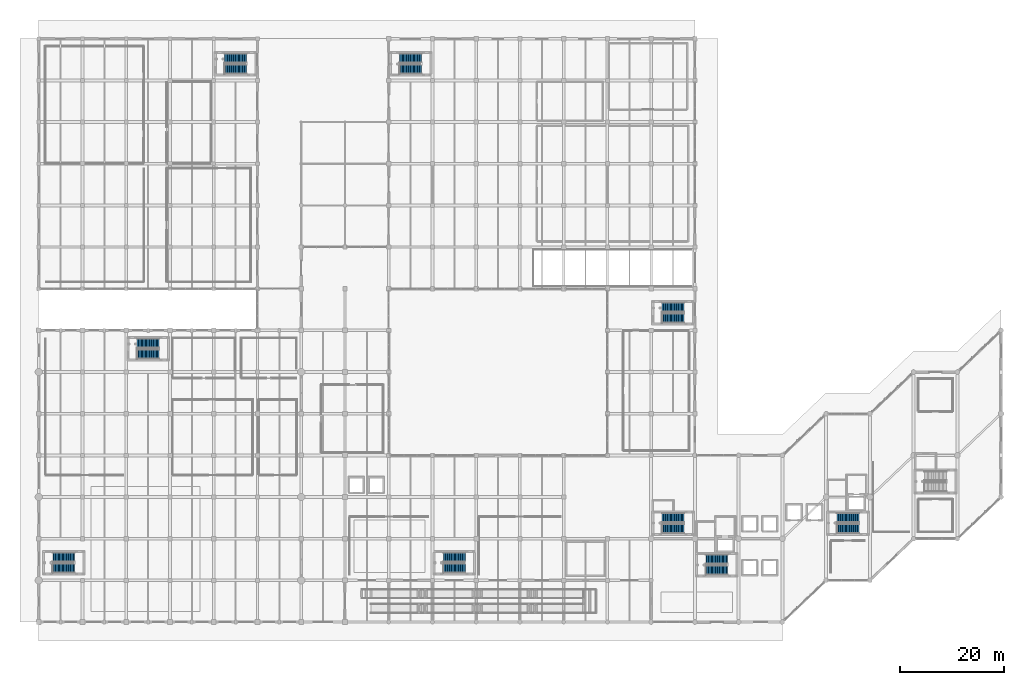
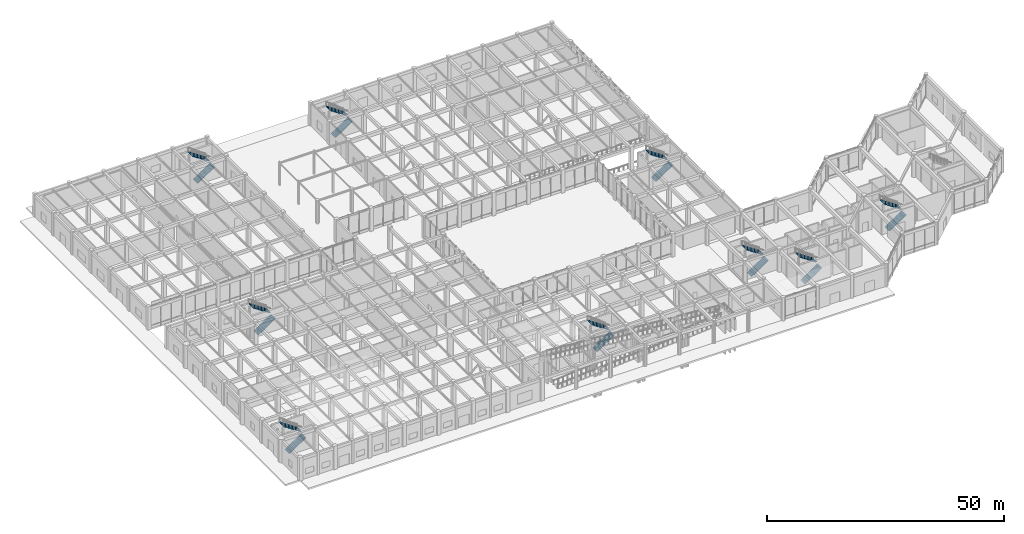
# One storey, part 61 of 76: 18 stair flights, 9 elements without a shape of their own.
"""IFC4 building model written with IfcOpenShell, lengths in metres."""

from ifc_helpers import new_model, si_unit, direction, frame, origin, place, context, subcontext, project, spatial, polyline, outline, extrude, material, type_object, element, aggregate, save


model = new_model("IFC4")

# Units and contexts
model_context = context("Model", 3, precision=1e-05, world=origin(), true_north=direction((0.0, 1.0)))
body_context = subcontext(model_context, "Body", "Model", "MODEL_VIEW")
ifc_project = project(units=[si_unit("LENGTHUNIT", "METRE"), si_unit("AREAUNIT", "SQUARE_METRE"), si_unit("VOLUMEUNIT", "CUBIC_METRE"), si_unit("PLANEANGLEUNIT", "RADIAN"), si_unit("MASSUNIT", "GRAM", prefix="KILO")], contexts=[model_context])

# Site, building, storey
site_placement = place(None, origin())
site = spatial("IfcSite", under=ifc_project, at=site_placement, CompositionType="ELEMENT")
building_placement = place(site_placement, origin())
building = spatial("IfcBuilding", under=site, at=building_placement, Name="Naruveol Harbour Congress Hotel", CompositionType="ELEMENT")
storey_placement = place(building_placement, origin())
storey = spatial("IfcBuildingStorey", under=building, at=storey_placement, Name="L00", CompositionType="ELEMENT", Elevation=0.0)

# Stair, stair flights
ifc_material_1 = material(Name="Concrete C40/50", Category="concrete")
stair_type = type_object("IfcStairType", Name="RC DOG LEG ESCAPE STAIR 1800W H6000", PredefinedType="HALF_TURN_STAIR", material=ifc_material_1)
stair_1_placement = place(storey_placement, origin())
stair_1 = element("IfcStair", 1, at=stair_1_placement, inside=storey, type_object=stair_type, Name="Special Escape Stair ST1 L00 to L01", PredefinedType="HALF_TURN_STAIR")
ifc_material_2 = material(Name="Concrete C40/50", Category="concrete")
stair_flight_type = type_object("IfcStairFlightType", Name="RC STRAIGHT STAIR FLIGHT 1800W R17", PredefinedType="STRAIGHT", material=ifc_material_2)
stair_flight_1_placement = place(storey_placement, frame((128.10009765625, 9.919921875, 0.0), z_axis=(0.0, 0.0, 1.0), x_axis=(1.0, 0.0, 0.0)))
stair_flight_1 = element("IfcStairFlight", 2, at=stair_flight_1_placement, type_object=stair_flight_type, Name="ST1 L00 lower flight", NumberOfRisers=17, NumberOfTreads=16, PredefinedType="STRAIGHT", RiserHeight=0.176471, TreadLength=0.2625, context=body_context, shape_type="SweptSolid", body=[
    extrude(outline(polyline([(0.0, 0.0), (0.0, 0.176513671875), (0.262451171875, 0.176513671875), (0.262451171875, 0.35302734375), (0.52490234375, 0.35302734375), (0.52490234375, 0.529296875), (0.78759765625, 0.529296875), (0.78759765625, 0.705810546875), (1.050048828125, 0.705810546875), (1.050048828125, 0.88232421875), (1.3125, 0.88232421875), (1.3125, 1.058837890625), (1.574951171875, 1.058837890625), (1.574951171875, 1.2353515625), (1.83740234375, 1.2353515625), (1.83740234375, 1.411865234375), (2.10009765625, 1.411865234375), (2.10009765625, 1.588134765625), (2.362548828125, 1.588134765625), (2.362548828125, 1.7646484375), (2.625, 1.7646484375), (2.625, 1.941162109375), (2.887451171875, 1.941162109375), (2.887451171875, 2.11767578125), (3.14990234375, 2.11767578125), (3.14990234375, 2.294189453125), (3.41259765625, 2.294189453125), (3.41259765625, 2.470703125), (3.675048828125, 2.470703125), (3.675048828125, 2.64697265625), (3.9375, 2.64697265625), (3.9375, 2.823486328125), (4.199951171875, 2.823486328125), (4.199951171875, 3.0), (4.199951171875, 2.630859375), (0.28662109375, 0.0), (0.0, 0.0)])), frame((0.0, 0.89990234375, 0.0), z_axis=(0.0, -1.0, 0.0), x_axis=(1.0, 0.0, 0.0)), (0.0, 0.0, 1.0), 1.800048828125),
])
stair_flight_2_placement = place(storey_placement, frame((132.300048828125, 12.0400390625, 3.0), z_axis=(0.0, 0.0, 1.0), x_axis=(-1.0, 0.0, 0.0)))
stair_flight_2 = element("IfcStairFlight", 3, at=stair_flight_2_placement, type_object=stair_flight_type, Name="ST1 L00 upper flight", NumberOfRisers=17, NumberOfTreads=16, PredefinedType="STRAIGHT", RiserHeight=0.176471, TreadLength=0.2625, context=body_context, shape_type="SweptSolid", body=[
    extrude(outline(polyline([(0.0, 0.0), (0.0, 0.176513671875), (0.262451171875, 0.176513671875), (0.262451171875, 0.35302734375), (0.52490234375, 0.35302734375), (0.52490234375, 0.529296875), (0.78759765625, 0.529296875), (0.78759765625, 0.705810546875), (1.050048828125, 0.705810546875), (1.050048828125, 0.88232421875), (1.3125, 0.88232421875), (1.3125, 1.058837890625), (1.574951171875, 1.058837890625), (1.574951171875, 1.2353515625), (1.83740234375, 1.2353515625), (1.83740234375, 1.411865234375), (2.10009765625, 1.411865234375), (2.10009765625, 1.588134765625), (2.362548828125, 1.588134765625), (2.362548828125, 1.7646484375), (2.625, 1.7646484375), (2.625, 1.941162109375), (2.887451171875, 1.941162109375), (2.887451171875, 2.11767578125), (3.14990234375, 2.11767578125), (3.14990234375, 2.294189453125), (3.41259765625, 2.294189453125), (3.41259765625, 2.470703125), (3.675048828125, 2.470703125), (3.675048828125, 2.64697265625), (3.9375, 2.64697265625), (3.9375, 2.823486328125), (4.199951171875, 2.823486328125), (4.199951171875, 3.0), (4.199951171875, 2.630859375), (0.28662109375, 0.0), (0.0, 0.0)])), frame((0.0, 0.89990234375, 0.0), z_axis=(0.0, -1.0, 0.0), x_axis=(1.0, 0.0, 0.0)), (0.0, 0.0, 1.0), 1.800048828125),
])
aggregate(stair_1, [stair_flight_1, stair_flight_2])

stair_2_placement = place(storey_placement, origin())
stair_2 = element("IfcStair", 4, at=stair_2_placement, inside=storey, type_object=stair_type, Name="Special Escape Stair ST2 L00 to L01", PredefinedType="HALF_TURN_STAIR")
stair_flight_3_placement = place(storey_placement, frame((153.300048828125, 17.919921875, 0.0), z_axis=(0.0, 0.0, 1.0), x_axis=(1.0, 0.0, 0.0)))
stair_flight_3 = element("IfcStairFlight", 5, at=stair_flight_3_placement, type_object=stair_flight_type, Name="ST2 L00 lower flight", NumberOfRisers=17, NumberOfTreads=16, PredefinedType="STRAIGHT", RiserHeight=0.176471, TreadLength=0.2625, context=body_context, shape_type="SweptSolid", body=[
    extrude(outline(polyline([(0.0, 0.0), (0.0, 0.176513671875), (0.262451171875, 0.176513671875), (0.262451171875, 0.35302734375), (0.52490234375, 0.35302734375), (0.52490234375, 0.529296875), (0.78759765625, 0.529296875), (0.78759765625, 0.705810546875), (1.050048828125, 0.705810546875), (1.050048828125, 0.88232421875), (1.3125, 0.88232421875), (1.3125, 1.058837890625), (1.574951171875, 1.058837890625), (1.574951171875, 1.2353515625), (1.83740234375, 1.2353515625), (1.83740234375, 1.411865234375), (2.10009765625, 1.411865234375), (2.10009765625, 1.588134765625), (2.362548828125, 1.588134765625), (2.362548828125, 1.7646484375), (2.625, 1.7646484375), (2.625, 1.941162109375), (2.887451171875, 1.941162109375), (2.887451171875, 2.11767578125), (3.14990234375, 2.11767578125), (3.14990234375, 2.294189453125), (3.41259765625, 2.294189453125), (3.41259765625, 2.470703125), (3.675048828125, 2.470703125), (3.675048828125, 2.64697265625), (3.9375, 2.64697265625), (3.9375, 2.823486328125), (4.199951171875, 2.823486328125), (4.199951171875, 3.0), (4.199951171875, 2.630859375), (0.28662109375, 0.0), (0.0, 0.0)])), frame((0.0, 0.89990234375, 0.0), z_axis=(0.0, -1.0, 0.0), x_axis=(1.0, 0.0, 0.0)), (0.0, 0.0, 1.0), 1.800048828125),
])
stair_flight_4_placement = place(storey_placement, frame((157.5, 20.0400390625, 3.0), z_axis=(0.0, 0.0, 1.0), x_axis=(-1.0, 0.0, 0.0)))
stair_flight_4 = element("IfcStairFlight", 6, at=stair_flight_4_placement, type_object=stair_flight_type, Name="ST2 L00 upper flight", NumberOfRisers=17, NumberOfTreads=16, PredefinedType="STRAIGHT", RiserHeight=0.176471, TreadLength=0.2625, context=body_context, shape_type="SweptSolid", body=[
    extrude(outline(polyline([(0.0, 0.0), (0.0, 0.176513671875), (0.262451171875, 0.176513671875), (0.262451171875, 0.35302734375), (0.52490234375, 0.35302734375), (0.52490234375, 0.529296875), (0.78759765625, 0.529296875), (0.78759765625, 0.705810546875), (1.050048828125, 0.705810546875), (1.050048828125, 0.88232421875), (1.3125, 0.88232421875), (1.3125, 1.058837890625), (1.574951171875, 1.058837890625), (1.574951171875, 1.2353515625), (1.83740234375, 1.2353515625), (1.83740234375, 1.411865234375), (2.10009765625, 1.411865234375), (2.10009765625, 1.588134765625), (2.362548828125, 1.588134765625), (2.362548828125, 1.7646484375), (2.625, 1.7646484375), (2.625, 1.941162109375), (2.887451171875, 1.941162109375), (2.887451171875, 2.11767578125), (3.14990234375, 2.11767578125), (3.14990234375, 2.294189453125), (3.41259765625, 2.294189453125), (3.41259765625, 2.470703125), (3.675048828125, 2.470703125), (3.675048828125, 2.64697265625), (3.9375, 2.64697265625), (3.9375, 2.823486328125), (4.199951171875, 2.823486328125), (4.199951171875, 3.0), (4.199951171875, 2.630859375), (0.28662109375, 0.0), (0.0, 0.0)])), frame((0.0, 0.89990234375, 0.0), z_axis=(0.0, -1.0, 0.0), x_axis=(1.0, 0.0, 0.0)), (0.0, 0.0, 1.0), 1.800048828125),
])
aggregate(stair_2, [stair_flight_3, stair_flight_4])

stair_3_placement = place(storey_placement, origin())
stair_3 = element("IfcStair", 7, at=stair_3_placement, inside=storey, type_object=stair_type, Name="Special Escape Stair ST3 L00 to L01", PredefinedType="HALF_TURN_STAIR")
stair_flight_5_placement = place(storey_placement, frame((119.699951171875, 17.919921875, 0.0), z_axis=(0.0, 0.0, 1.0), x_axis=(1.0, 0.0, 0.0)))
stair_flight_5 = element("IfcStairFlight", 8, at=stair_flight_5_placement, type_object=stair_flight_type, Name="ST3 L00 lower flight", NumberOfRisers=17, NumberOfTreads=16, PredefinedType="STRAIGHT", RiserHeight=0.176471, TreadLength=0.2625, context=body_context, shape_type="SweptSolid", body=[
    extrude(outline(polyline([(0.0, 0.0), (0.0, 0.176513671875), (0.262451171875, 0.176513671875), (0.262451171875, 0.35302734375), (0.52490234375, 0.35302734375), (0.52490234375, 0.529296875), (0.78759765625, 0.529296875), (0.78759765625, 0.705810546875), (1.050048828125, 0.705810546875), (1.050048828125, 0.88232421875), (1.3125, 0.88232421875), (1.3125, 1.058837890625), (1.574951171875, 1.058837890625), (1.574951171875, 1.2353515625), (1.83740234375, 1.2353515625), (1.83740234375, 1.411865234375), (2.10009765625, 1.411865234375), (2.10009765625, 1.588134765625), (2.362548828125, 1.588134765625), (2.362548828125, 1.7646484375), (2.625, 1.7646484375), (2.625, 1.941162109375), (2.887451171875, 1.941162109375), (2.887451171875, 2.11767578125), (3.14990234375, 2.11767578125), (3.14990234375, 2.294189453125), (3.41259765625, 2.294189453125), (3.41259765625, 2.470703125), (3.675048828125, 2.470703125), (3.675048828125, 2.64697265625), (3.9375, 2.64697265625), (3.9375, 2.823486328125), (4.199951171875, 2.823486328125), (4.199951171875, 3.0), (4.199951171875, 2.630859375), (0.28662109375, 0.0), (0.0, 0.0)])), frame((0.0, 0.89990234375, 0.0), z_axis=(0.0, -1.0, 0.0), x_axis=(1.0, 0.0, 0.0)), (0.0, 0.0, 1.0), 1.800048828125),
])
stair_flight_6_placement = place(storey_placement, frame((123.89990234375, 20.0400390625, 3.0), z_axis=(0.0, 0.0, 1.0), x_axis=(-1.0, 0.0, 0.0)))
stair_flight_6 = element("IfcStairFlight", 9, at=stair_flight_6_placement, type_object=stair_flight_type, Name="ST3 L00 upper flight", NumberOfRisers=17, NumberOfTreads=16, PredefinedType="STRAIGHT", RiserHeight=0.176471, TreadLength=0.2625, context=body_context, shape_type="SweptSolid", body=[
    extrude(outline(polyline([(0.0, 0.0), (0.0, 0.176513671875), (0.262451171875, 0.176513671875), (0.262451171875, 0.35302734375), (0.52490234375, 0.35302734375), (0.52490234375, 0.529296875), (0.78759765625, 0.529296875), (0.78759765625, 0.705810546875), (1.050048828125, 0.705810546875), (1.050048828125, 0.88232421875), (1.3125, 0.88232421875), (1.3125, 1.058837890625), (1.574951171875, 1.058837890625), (1.574951171875, 1.2353515625), (1.83740234375, 1.2353515625), (1.83740234375, 1.411865234375), (2.10009765625, 1.411865234375), (2.10009765625, 1.588134765625), (2.362548828125, 1.588134765625), (2.362548828125, 1.7646484375), (2.625, 1.7646484375), (2.625, 1.941162109375), (2.887451171875, 1.941162109375), (2.887451171875, 2.11767578125), (3.14990234375, 2.11767578125), (3.14990234375, 2.294189453125), (3.41259765625, 2.294189453125), (3.41259765625, 2.470703125), (3.675048828125, 2.470703125), (3.675048828125, 2.64697265625), (3.9375, 2.64697265625), (3.9375, 2.823486328125), (4.199951171875, 2.823486328125), (4.199951171875, 3.0), (4.199951171875, 2.630859375), (0.28662109375, 0.0), (0.0, 0.0)])), frame((0.0, 0.89990234375, 0.0), z_axis=(0.0, -1.0, 0.0), x_axis=(1.0, 0.0, 0.0)), (0.0, 0.0, 1.0), 1.800048828125),
])
aggregate(stair_3, [stair_flight_5, stair_flight_6])

stair_4_placement = place(storey_placement, origin())
stair_4 = element("IfcStair", 10, at=stair_4_placement, inside=storey, type_object=stair_type, Name="Congress West Exit Stair ST5 L00 to L01", PredefinedType="HALF_TURN_STAIR")
stair_flight_7_placement = place(storey_placement, frame((2.699951171875, 10.320068359375, 0.0), z_axis=(0.0, 0.0, 1.0), x_axis=(1.0, 0.0, 0.0)))
stair_flight_7 = element("IfcStairFlight", 11, at=stair_flight_7_placement, type_object=stair_flight_type, Name="ST5 L00 lower flight", NumberOfRisers=17, NumberOfTreads=16, PredefinedType="STRAIGHT", RiserHeight=0.176471, TreadLength=0.2625, context=body_context, shape_type="SweptSolid", body=[
    extrude(outline(polyline([(0.0, 0.0), (0.0, 0.176513671875), (0.262451171875, 0.176513671875), (0.262451171875, 0.35302734375), (0.52490234375, 0.35302734375), (0.52490234375, 0.529296875), (0.78759765625, 0.529296875), (0.78759765625, 0.705810546875), (1.050048828125, 0.705810546875), (1.050048828125, 0.88232421875), (1.3125, 0.88232421875), (1.3125, 1.058837890625), (1.574951171875, 1.058837890625), (1.574951171875, 1.2353515625), (1.83740234375, 1.2353515625), (1.83740234375, 1.411865234375), (2.10009765625, 1.411865234375), (2.10009765625, 1.588134765625), (2.362548828125, 1.588134765625), (2.362548828125, 1.7646484375), (2.625, 1.7646484375), (2.625, 1.941162109375), (2.887451171875, 1.941162109375), (2.887451171875, 2.11767578125), (3.14990234375, 2.11767578125), (3.14990234375, 2.294189453125), (3.41259765625, 2.294189453125), (3.41259765625, 2.470703125), (3.675048828125, 2.470703125), (3.675048828125, 2.64697265625), (3.9375, 2.64697265625), (3.9375, 2.823486328125), (4.199951171875, 2.823486328125), (4.199951171875, 3.0), (4.199951171875, 2.630859375), (0.28662109375, 0.0), (0.0, 0.0)])), frame((0.0, 0.89990234375, 0.0), z_axis=(0.0, -1.0, 0.0), x_axis=(1.0, 0.0, 0.0)), (0.0, 0.0, 1.0), 1.800048828125),
])
stair_flight_8_placement = place(storey_placement, frame((6.89990234375, 12.43994140625, 3.0), z_axis=(0.0, 0.0, 1.0), x_axis=(-1.0, 0.0, 0.0)))
stair_flight_8 = element("IfcStairFlight", 12, at=stair_flight_8_placement, type_object=stair_flight_type, Name="ST5 L00 upper flight", NumberOfRisers=17, NumberOfTreads=16, PredefinedType="STRAIGHT", RiserHeight=0.176471, TreadLength=0.2625, context=body_context, shape_type="SweptSolid", body=[
    extrude(outline(polyline([(0.0, 0.0), (0.0, 0.176513671875), (0.262451171875, 0.176513671875), (0.262451171875, 0.35302734375), (0.52490234375, 0.35302734375), (0.52490234375, 0.529296875), (0.78759765625, 0.529296875), (0.78759765625, 0.705810546875), (1.050048828125, 0.705810546875), (1.050048828125, 0.88232421875), (1.3125, 0.88232421875), (1.3125, 1.058837890625), (1.574951171875, 1.058837890625), (1.574951171875, 1.2353515625), (1.83740234375, 1.2353515625), (1.83740234375, 1.411865234375), (2.10009765625, 1.411865234375), (2.10009765625, 1.588134765625), (2.362548828125, 1.588134765625), (2.362548828125, 1.7646484375), (2.625, 1.7646484375), (2.625, 1.941162109375), (2.887451171875, 1.941162109375), (2.887451171875, 2.11767578125), (3.14990234375, 2.11767578125), (3.14990234375, 2.294189453125), (3.41259765625, 2.294189453125), (3.41259765625, 2.470703125), (3.675048828125, 2.470703125), (3.675048828125, 2.64697265625), (3.9375, 2.64697265625), (3.9375, 2.823486328125), (4.199951171875, 2.823486328125), (4.199951171875, 3.0), (4.199951171875, 2.630859375), (0.28662109375, 0.0), (0.0, 0.0)])), frame((0.0, 0.89990234375, 0.0), z_axis=(0.0, -1.0, 0.0), x_axis=(1.0, 0.0, 0.0)), (0.0, 0.0, 1.0), 1.800048828125),
])
aggregate(stair_4, [stair_flight_7, stair_flight_8])

stair_5_placement = place(storey_placement, origin())
stair_5 = element("IfcStair", 13, at=stair_5_placement, inside=storey, type_object=stair_type, Name="Congress North Exit Stair ST6 L00 to L01", PredefinedType="HALF_TURN_STAIR")
stair_flight_9_placement = place(storey_placement, frame((18.89990234375, 51.419921875, 0.0), z_axis=(0.0, 0.0, 1.0), x_axis=(1.0, 0.0, 0.0)))
stair_flight_9 = element("IfcStairFlight", 14, at=stair_flight_9_placement, type_object=stair_flight_type, Name="ST6 L00 lower flight", NumberOfRisers=17, NumberOfTreads=16, PredefinedType="STRAIGHT", RiserHeight=0.176471, TreadLength=0.2625, context=body_context, shape_type="SweptSolid", body=[
    extrude(outline(polyline([(0.0, 0.0), (0.0, 0.176513671875), (0.262451171875, 0.176513671875), (0.262451171875, 0.35302734375), (0.52490234375, 0.35302734375), (0.52490234375, 0.529296875), (0.78759765625, 0.529296875), (0.78759765625, 0.705810546875), (1.050048828125, 0.705810546875), (1.050048828125, 0.88232421875), (1.3125, 0.88232421875), (1.3125, 1.058837890625), (1.574951171875, 1.058837890625), (1.574951171875, 1.2353515625), (1.83740234375, 1.2353515625), (1.83740234375, 1.411865234375), (2.10009765625, 1.411865234375), (2.10009765625, 1.588134765625), (2.362548828125, 1.588134765625), (2.362548828125, 1.7646484375), (2.625, 1.7646484375), (2.625, 1.941162109375), (2.887451171875, 1.941162109375), (2.887451171875, 2.11767578125), (3.14990234375, 2.11767578125), (3.14990234375, 2.294189453125), (3.41259765625, 2.294189453125), (3.41259765625, 2.470703125), (3.675048828125, 2.470703125), (3.675048828125, 2.64697265625), (3.9375, 2.64697265625), (3.9375, 2.823486328125), (4.199951171875, 2.823486328125), (4.199951171875, 3.0), (4.199951171875, 2.630859375), (0.28662109375, 0.0), (0.0, 0.0)])), frame((0.0, 0.89990234375, 0.0), z_axis=(0.0, -1.0, 0.0), x_axis=(1.0, 0.0, 0.0)), (0.0, 0.0, 1.0), 1.800048828125),
])
stair_flight_10_placement = place(storey_placement, frame((23.10009765625, 53.5400390625, 3.0), z_axis=(0.0, 0.0, 1.0), x_axis=(-1.0, 0.0, 0.0)))
stair_flight_10 = element("IfcStairFlight", 15, at=stair_flight_10_placement, type_object=stair_flight_type, Name="ST6 L00 upper flight", NumberOfRisers=17, NumberOfTreads=16, PredefinedType="STRAIGHT", RiserHeight=0.176471, TreadLength=0.2625, context=body_context, shape_type="SweptSolid", body=[
    extrude(outline(polyline([(0.0, 0.0), (0.0, 0.176513671875), (0.262451171875, 0.176513671875), (0.262451171875, 0.35302734375), (0.52490234375, 0.35302734375), (0.52490234375, 0.529296875), (0.78759765625, 0.529296875), (0.78759765625, 0.705810546875), (1.050048828125, 0.705810546875), (1.050048828125, 0.88232421875), (1.3125, 0.88232421875), (1.3125, 1.058837890625), (1.574951171875, 1.058837890625), (1.574951171875, 1.2353515625), (1.83740234375, 1.2353515625), (1.83740234375, 1.411865234375), (2.10009765625, 1.411865234375), (2.10009765625, 1.588134765625), (2.362548828125, 1.588134765625), (2.362548828125, 1.7646484375), (2.625, 1.7646484375), (2.625, 1.941162109375), (2.887451171875, 1.941162109375), (2.887451171875, 2.11767578125), (3.14990234375, 2.11767578125), (3.14990234375, 2.294189453125), (3.41259765625, 2.294189453125), (3.41259765625, 2.470703125), (3.675048828125, 2.470703125), (3.675048828125, 2.64697265625), (3.9375, 2.64697265625), (3.9375, 2.823486328125), (4.199951171875, 2.823486328125), (4.199951171875, 3.0), (4.199951171875, 2.630859375), (0.28662109375, 0.0), (0.0, 0.0)])), frame((0.0, 0.89990234375, 0.0), z_axis=(0.0, -1.0, 0.0), x_axis=(1.0, 0.0, 0.0)), (0.0, 0.0, 1.0), 1.800048828125),
])
aggregate(stair_5, [stair_flight_9, stair_flight_10])

stair_6_placement = place(storey_placement, origin())
stair_6 = element("IfcStair", 16, at=stair_6_placement, inside=storey, type_object=stair_type, Name="Thermal Spa Exit Stair ST7 L00 to L01", PredefinedType="HALF_TURN_STAIR")
stair_flight_11_placement = place(storey_placement, frame((35.699951171875, 106.1201171875, 0.0), z_axis=(0.0, 0.0, 1.0), x_axis=(1.0, 0.0, 0.0)))
stair_flight_11 = element("IfcStairFlight", 17, at=stair_flight_11_placement, type_object=stair_flight_type, Name="ST7 L00 lower flight", NumberOfRisers=17, NumberOfTreads=16, PredefinedType="STRAIGHT", RiserHeight=0.176471, TreadLength=0.2625, context=body_context, shape_type="SweptSolid", body=[
    extrude(outline(polyline([(0.0, 0.0), (0.0, 0.176513671875), (0.262451171875, 0.176513671875), (0.262451171875, 0.35302734375), (0.52490234375, 0.35302734375), (0.52490234375, 0.529296875), (0.78759765625, 0.529296875), (0.78759765625, 0.705810546875), (1.050048828125, 0.705810546875), (1.050048828125, 0.88232421875), (1.3125, 0.88232421875), (1.3125, 1.058837890625), (1.574951171875, 1.058837890625), (1.574951171875, 1.2353515625), (1.83740234375, 1.2353515625), (1.83740234375, 1.411865234375), (2.10009765625, 1.411865234375), (2.10009765625, 1.588134765625), (2.362548828125, 1.588134765625), (2.362548828125, 1.7646484375), (2.625, 1.7646484375), (2.625, 1.941162109375), (2.887451171875, 1.941162109375), (2.887451171875, 2.11767578125), (3.14990234375, 2.11767578125), (3.14990234375, 2.294189453125), (3.41259765625, 2.294189453125), (3.41259765625, 2.470703125), (3.675048828125, 2.470703125), (3.675048828125, 2.64697265625), (3.9375, 2.64697265625), (3.9375, 2.823486328125), (4.199951171875, 2.823486328125), (4.199951171875, 3.0), (4.199951171875, 2.630859375), (0.28662109375, 0.0), (0.0, 0.0)])), frame((0.0, 0.89990234375, 0.0), z_axis=(0.0, -1.0, 0.0), x_axis=(1.0, 0.0, 0.0)), (0.0, 0.0, 1.0), 1.800048828125),
])
stair_flight_12_placement = place(storey_placement, frame((39.89990234375, 108.239990234375, 3.0), z_axis=(0.0, 0.0, 1.0), x_axis=(-1.0, 0.0, 0.0)))
stair_flight_12 = element("IfcStairFlight", 18, at=stair_flight_12_placement, type_object=stair_flight_type, Name="ST7 L00 upper flight", NumberOfRisers=17, NumberOfTreads=16, PredefinedType="STRAIGHT", RiserHeight=0.176471, TreadLength=0.2625, context=body_context, shape_type="SweptSolid", body=[
    extrude(outline(polyline([(0.0, 0.0), (0.0, 0.176513671875), (0.262451171875, 0.176513671875), (0.262451171875, 0.35302734375), (0.52490234375, 0.35302734375), (0.52490234375, 0.529296875), (0.78759765625, 0.529296875), (0.78759765625, 0.705810546875), (1.050048828125, 0.705810546875), (1.050048828125, 0.88232421875), (1.3125, 0.88232421875), (1.3125, 1.058837890625), (1.574951171875, 1.058837890625), (1.574951171875, 1.2353515625), (1.83740234375, 1.2353515625), (1.83740234375, 1.411865234375), (2.10009765625, 1.411865234375), (2.10009765625, 1.588134765625), (2.362548828125, 1.588134765625), (2.362548828125, 1.7646484375), (2.625, 1.7646484375), (2.625, 1.941162109375), (2.887451171875, 1.941162109375), (2.887451171875, 2.11767578125), (3.14990234375, 2.11767578125), (3.14990234375, 2.294189453125), (3.41259765625, 2.294189453125), (3.41259765625, 2.470703125), (3.675048828125, 2.470703125), (3.675048828125, 2.64697265625), (3.9375, 2.64697265625), (3.9375, 2.823486328125), (4.199951171875, 2.823486328125), (4.199951171875, 3.0), (4.199951171875, 2.630859375), (0.28662109375, 0.0), (0.0, 0.0)])), frame((0.0, 0.89990234375, 0.0), z_axis=(0.0, -1.0, 0.0), x_axis=(1.0, 0.0, 0.0)), (0.0, 0.0, 1.0), 1.800048828125),
])
aggregate(stair_6, [stair_flight_11, stair_flight_12])

stair_7_placement = place(storey_placement, origin())
stair_7 = element("IfcStair", 19, at=stair_7_placement, inside=storey, type_object=stair_type, Name="Ballroom West Exit Stair ST8 L00 to L01", PredefinedType="HALF_TURN_STAIR")
stair_flight_13_placement = place(storey_placement, frame((69.300048828125, 106.1201171875, 0.0), z_axis=(0.0, 0.0, 1.0), x_axis=(1.0, 0.0, 0.0)))
stair_flight_13 = element("IfcStairFlight", 20, at=stair_flight_13_placement, type_object=stair_flight_type, Name="ST8 L00 lower flight", NumberOfRisers=17, NumberOfTreads=16, PredefinedType="STRAIGHT", RiserHeight=0.176471, TreadLength=0.2625, context=body_context, shape_type="SweptSolid", body=[
    extrude(outline(polyline([(0.0, 0.0), (0.0, 0.176513671875), (0.262451171875, 0.176513671875), (0.262451171875, 0.35302734375), (0.52490234375, 0.35302734375), (0.52490234375, 0.529296875), (0.78759765625, 0.529296875), (0.78759765625, 0.705810546875), (1.050048828125, 0.705810546875), (1.050048828125, 0.88232421875), (1.3125, 0.88232421875), (1.3125, 1.058837890625), (1.574951171875, 1.058837890625), (1.574951171875, 1.2353515625), (1.83740234375, 1.2353515625), (1.83740234375, 1.411865234375), (2.10009765625, 1.411865234375), (2.10009765625, 1.588134765625), (2.362548828125, 1.588134765625), (2.362548828125, 1.7646484375), (2.625, 1.7646484375), (2.625, 1.941162109375), (2.887451171875, 1.941162109375), (2.887451171875, 2.11767578125), (3.14990234375, 2.11767578125), (3.14990234375, 2.294189453125), (3.41259765625, 2.294189453125), (3.41259765625, 2.470703125), (3.675048828125, 2.470703125), (3.675048828125, 2.64697265625), (3.9375, 2.64697265625), (3.9375, 2.823486328125), (4.199951171875, 2.823486328125), (4.199951171875, 3.0), (4.199951171875, 2.630859375), (0.28662109375, 0.0), (0.0, 0.0)])), frame((0.0, 0.89990234375, 0.0), z_axis=(0.0, -1.0, 0.0), x_axis=(1.0, 0.0, 0.0)), (0.0, 0.0, 1.0), 1.800048828125),
])
stair_flight_14_placement = place(storey_placement, frame((73.5, 108.239990234375, 3.0), z_axis=(0.0, 0.0, 1.0), x_axis=(-1.0, 0.0, 0.0)))
stair_flight_14 = element("IfcStairFlight", 21, at=stair_flight_14_placement, type_object=stair_flight_type, Name="ST8 L00 upper flight", NumberOfRisers=17, NumberOfTreads=16, PredefinedType="STRAIGHT", RiserHeight=0.176471, TreadLength=0.2625, context=body_context, shape_type="SweptSolid", body=[
    extrude(outline(polyline([(0.0, 0.0), (0.0, 0.176513671875), (0.262451171875, 0.176513671875), (0.262451171875, 0.35302734375), (0.52490234375, 0.35302734375), (0.52490234375, 0.529296875), (0.78759765625, 0.529296875), (0.78759765625, 0.705810546875), (1.050048828125, 0.705810546875), (1.050048828125, 0.88232421875), (1.3125, 0.88232421875), (1.3125, 1.058837890625), (1.574951171875, 1.058837890625), (1.574951171875, 1.2353515625), (1.83740234375, 1.2353515625), (1.83740234375, 1.411865234375), (2.10009765625, 1.411865234375), (2.10009765625, 1.588134765625), (2.362548828125, 1.588134765625), (2.362548828125, 1.7646484375), (2.625, 1.7646484375), (2.625, 1.941162109375), (2.887451171875, 1.941162109375), (2.887451171875, 2.11767578125), (3.14990234375, 2.11767578125), (3.14990234375, 2.294189453125), (3.41259765625, 2.294189453125), (3.41259765625, 2.470703125), (3.675048828125, 2.470703125), (3.675048828125, 2.64697265625), (3.9375, 2.64697265625), (3.9375, 2.823486328125), (4.199951171875, 2.823486328125), (4.199951171875, 3.0), (4.199951171875, 2.630859375), (0.28662109375, 0.0), (0.0, 0.0)])), frame((0.0, 0.89990234375, 0.0), z_axis=(0.0, -1.0, 0.0), x_axis=(1.0, 0.0, 0.0)), (0.0, 0.0, 1.0), 1.800048828125),
])
aggregate(stair_7, [stair_flight_13, stair_flight_14])

stair_8_placement = place(storey_placement, origin())
stair_8 = element("IfcStair", 22, at=stair_8_placement, inside=storey, type_object=stair_type, Name="Courtyard North-East Exit Stair ST9 L00 to L01", PredefinedType="HALF_TURN_STAIR")
stair_flight_15_placement = place(storey_placement, frame((119.699951171875, 58.320068359375, 0.0), z_axis=(0.0, 0.0, 1.0), x_axis=(1.0, 0.0, 0.0)))
stair_flight_15 = element("IfcStairFlight", 23, at=stair_flight_15_placement, type_object=stair_flight_type, Name="ST9 L00 lower flight", NumberOfRisers=17, NumberOfTreads=16, PredefinedType="STRAIGHT", RiserHeight=0.176471, TreadLength=0.2625, context=body_context, shape_type="SweptSolid", body=[
    extrude(outline(polyline([(0.0, 0.0), (0.0, 0.176513671875), (0.262451171875, 0.176513671875), (0.262451171875, 0.35302734375), (0.52490234375, 0.35302734375), (0.52490234375, 0.529296875), (0.78759765625, 0.529296875), (0.78759765625, 0.705810546875), (1.050048828125, 0.705810546875), (1.050048828125, 0.88232421875), (1.3125, 0.88232421875), (1.3125, 1.058837890625), (1.574951171875, 1.058837890625), (1.574951171875, 1.2353515625), (1.83740234375, 1.2353515625), (1.83740234375, 1.411865234375), (2.10009765625, 1.411865234375), (2.10009765625, 1.588134765625), (2.362548828125, 1.588134765625), (2.362548828125, 1.7646484375), (2.625, 1.7646484375), (2.625, 1.941162109375), (2.887451171875, 1.941162109375), (2.887451171875, 2.11767578125), (3.14990234375, 2.11767578125), (3.14990234375, 2.294189453125), (3.41259765625, 2.294189453125), (3.41259765625, 2.470703125), (3.675048828125, 2.470703125), (3.675048828125, 2.64697265625), (3.9375, 2.64697265625), (3.9375, 2.823486328125), (4.199951171875, 2.823486328125), (4.199951171875, 3.0), (4.199951171875, 2.630859375), (0.28662109375, 0.0), (0.0, 0.0)])), frame((0.0, 0.89990234375, 0.0), z_axis=(0.0, -1.0, 0.0), x_axis=(1.0, 0.0, 0.0)), (0.0, 0.0, 1.0), 1.800048828125),
])
stair_flight_16_placement = place(storey_placement, frame((123.89990234375, 60.43994140625, 3.0), z_axis=(0.0, 0.0, 1.0), x_axis=(-1.0, 0.0, 0.0)))
stair_flight_16 = element("IfcStairFlight", 24, at=stair_flight_16_placement, type_object=stair_flight_type, Name="ST9 L00 upper flight", NumberOfRisers=17, NumberOfTreads=16, PredefinedType="STRAIGHT", RiserHeight=0.176471, TreadLength=0.2625, context=body_context, shape_type="SweptSolid", body=[
    extrude(outline(polyline([(0.0, 0.0), (0.0, 0.176513671875), (0.262451171875, 0.176513671875), (0.262451171875, 0.35302734375), (0.52490234375, 0.35302734375), (0.52490234375, 0.529296875), (0.78759765625, 0.529296875), (0.78759765625, 0.705810546875), (1.050048828125, 0.705810546875), (1.050048828125, 0.88232421875), (1.3125, 0.88232421875), (1.3125, 1.058837890625), (1.574951171875, 1.058837890625), (1.574951171875, 1.2353515625), (1.83740234375, 1.2353515625), (1.83740234375, 1.411865234375), (2.10009765625, 1.411865234375), (2.10009765625, 1.588134765625), (2.362548828125, 1.588134765625), (2.362548828125, 1.7646484375), (2.625, 1.7646484375), (2.625, 1.941162109375), (2.887451171875, 1.941162109375), (2.887451171875, 2.11767578125), (3.14990234375, 2.11767578125), (3.14990234375, 2.294189453125), (3.41259765625, 2.294189453125), (3.41259765625, 2.470703125), (3.675048828125, 2.470703125), (3.675048828125, 2.64697265625), (3.9375, 2.64697265625), (3.9375, 2.823486328125), (4.199951171875, 2.823486328125), (4.199951171875, 3.0), (4.199951171875, 2.630859375), (0.28662109375, 0.0), (0.0, 0.0)])), frame((0.0, 0.89990234375, 0.0), z_axis=(0.0, -1.0, 0.0), x_axis=(1.0, 0.0, 0.0)), (0.0, 0.0, 1.0), 1.800048828125),
])
aggregate(stair_8, [stair_flight_15, stair_flight_16])

stair_9_placement = place(storey_placement, origin())
stair_9 = element("IfcStair", 25, at=stair_9_placement, inside=storey, type_object=stair_type, Name="Courtyard South-West Exit Stair ST10 L00 to L01", PredefinedType="HALF_TURN_STAIR")
stair_flight_17_placement = place(storey_placement, frame((77.699951171875, 10.320068359375, 0.0), z_axis=(0.0, 0.0, 1.0), x_axis=(1.0, 0.0, 0.0)))
stair_flight_17 = element("IfcStairFlight", 26, at=stair_flight_17_placement, type_object=stair_flight_type, Name="ST10 L00 lower flight", NumberOfRisers=17, NumberOfTreads=16, PredefinedType="STRAIGHT", RiserHeight=0.176471, TreadLength=0.2625, context=body_context, shape_type="SweptSolid", body=[
    extrude(outline(polyline([(0.0, 0.0), (0.0, 0.176513671875), (0.262451171875, 0.176513671875), (0.262451171875, 0.35302734375), (0.52490234375, 0.35302734375), (0.52490234375, 0.529296875), (0.78759765625, 0.529296875), (0.78759765625, 0.705810546875), (1.050048828125, 0.705810546875), (1.050048828125, 0.88232421875), (1.3125, 0.88232421875), (1.3125, 1.058837890625), (1.574951171875, 1.058837890625), (1.574951171875, 1.2353515625), (1.83740234375, 1.2353515625), (1.83740234375, 1.411865234375), (2.10009765625, 1.411865234375), (2.10009765625, 1.588134765625), (2.362548828125, 1.588134765625), (2.362548828125, 1.7646484375), (2.625, 1.7646484375), (2.625, 1.941162109375), (2.887451171875, 1.941162109375), (2.887451171875, 2.11767578125), (3.14990234375, 2.11767578125), (3.14990234375, 2.294189453125), (3.41259765625, 2.294189453125), (3.41259765625, 2.470703125), (3.675048828125, 2.470703125), (3.675048828125, 2.64697265625), (3.9375, 2.64697265625), (3.9375, 2.823486328125), (4.199951171875, 2.823486328125), (4.199951171875, 3.0), (4.199951171875, 2.630859375), (0.28662109375, 0.0), (0.0, 0.0)])), frame((0.0, 0.89990234375, 0.0), z_axis=(0.0, -1.0, 0.0), x_axis=(1.0, 0.0, 0.0)), (0.0, 0.0, 1.0), 1.800048828125),
])
stair_flight_18_placement = place(storey_placement, frame((81.89990234375, 12.43994140625, 3.0), z_axis=(0.0, 0.0, 1.0), x_axis=(-1.0, 0.0, 0.0)))
stair_flight_18 = element("IfcStairFlight", 27, at=stair_flight_18_placement, type_object=stair_flight_type, Name="ST10 L00 upper flight", NumberOfRisers=17, NumberOfTreads=16, PredefinedType="STRAIGHT", RiserHeight=0.176471, TreadLength=0.2625, context=body_context, shape_type="SweptSolid", body=[
    extrude(outline(polyline([(0.0, 0.0), (0.0, 0.176513671875), (0.262451171875, 0.176513671875), (0.262451171875, 0.35302734375), (0.52490234375, 0.35302734375), (0.52490234375, 0.529296875), (0.78759765625, 0.529296875), (0.78759765625, 0.705810546875), (1.050048828125, 0.705810546875), (1.050048828125, 0.88232421875), (1.3125, 0.88232421875), (1.3125, 1.058837890625), (1.574951171875, 1.058837890625), (1.574951171875, 1.2353515625), (1.83740234375, 1.2353515625), (1.83740234375, 1.411865234375), (2.10009765625, 1.411865234375), (2.10009765625, 1.588134765625), (2.362548828125, 1.588134765625), (2.362548828125, 1.7646484375), (2.625, 1.7646484375), (2.625, 1.941162109375), (2.887451171875, 1.941162109375), (2.887451171875, 2.11767578125), (3.14990234375, 2.11767578125), (3.14990234375, 2.294189453125), (3.41259765625, 2.294189453125), (3.41259765625, 2.470703125), (3.675048828125, 2.470703125), (3.675048828125, 2.64697265625), (3.9375, 2.64697265625), (3.9375, 2.823486328125), (4.199951171875, 2.823486328125), (4.199951171875, 3.0), (4.199951171875, 2.630859375), (0.28662109375, 0.0), (0.0, 0.0)])), frame((0.0, 0.89990234375, 0.0), z_axis=(0.0, -1.0, 0.0), x_axis=(1.0, 0.0, 0.0)), (0.0, 0.0, 1.0), 1.800048828125),
])
aggregate(stair_9, [stair_flight_17, stair_flight_18])

save(model, "model.ifc")
